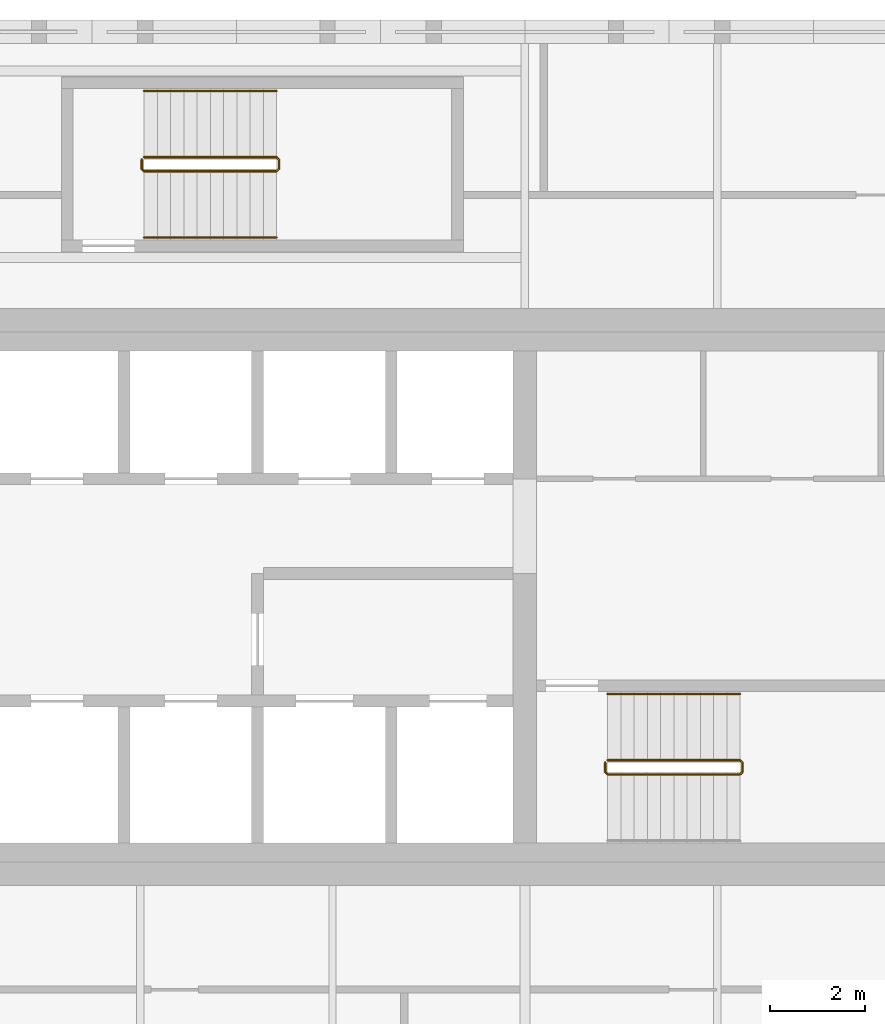
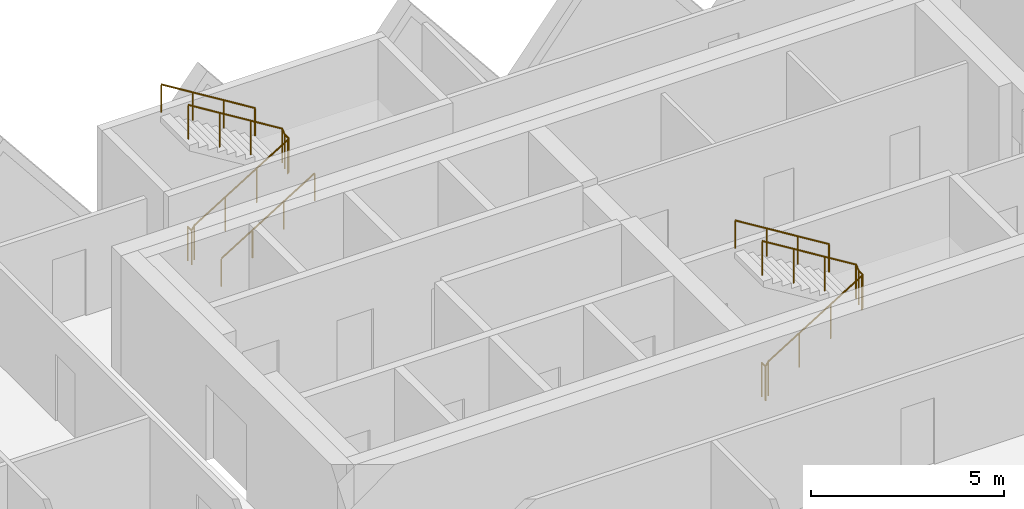
# One storey, part 18 of 19: 5 railings.
"""IFC4 building model written with IfcOpenShell, lengths in metres."""

import ifcopenshell
import ifcopenshell.guid

model = None  # the IFC model being written
_history = None  # IfcOwnerHistory: only IFC2X3 demands one
_inside = {}  # id of a spatial element -> (the spatial element, [elements in it])
_under = {}  # id of a project, library or spatial element -> (it, [spatial elements below it])
_declared = {}  # id of a project -> (the project, [libraries it declares])
_typed = {}  # id of a type object -> (the type object, [elements of that type])
_made_of = {}  # id of a material, layer set ... -> (it, [elements and type objects made of it])


def new_model(schema):
    """Start an empty IFC model of exactly this schema.

    Asked for "IFC4X3", IfcOpenShell would pick the latest addendum, in which some entities
    have other attributes; the version numbers below select the first issue.
    IFC2X3 requires an IfcOwnerHistory on every rooted entity: one is made here for all.
    """
    global model, _history
    if schema == "IFC4X3":
        model = ifcopenshell.file(schema_version=(4, 3, 0, 0))
    else:
        model = ifcopenshell.file(schema=schema)
    _inside.clear()
    _under.clear()
    _declared.clear()
    _typed.clear()
    _made_of.clear()
    _history = None
    if model.schema == "IFC2X3":
        org = make("IfcOrganization", Name="unknown")
        user = make(
            "IfcPersonAndOrganization",
            ThePerson=make("IfcPerson", FamilyName="unknown"),
            TheOrganization=org,
        )
        app = make(
            "IfcApplication",
            ApplicationDeveloper=org,
            Version="unknown",
            ApplicationFullName="unknown",
            ApplicationIdentifier="unknown",
        )
        _history = make(
            "IfcOwnerHistory",
            OwningUser=user,
            OwningApplication=app,
            ChangeAction="ADDED",
            CreationDate=0,
        )
    return model


def make(cls, **values):
    """One entity of the class cls with the attributes given. An attribute that is None is left unset."""
    return model.create_entity(
        cls, **{name: value for name, value in values.items() if value is not None}
    )


def rooted(cls, **values):
    """An entity with a GlobalId (a new one), such as an element, a storey or a relation."""
    return make(cls, GlobalId=ifcopenshell.guid.new(), OwnerHistory=_history, **values)


def si_unit(unit_type, name, prefix=None):
    """IfcSIUnit, for example si_unit("LENGTHUNIT", "METRE", prefix="MILLI")."""
    return make("IfcSIUnit", UnitType=unit_type, Prefix=prefix, Name=name)


def assignment(units):
    """IfcUnitAssignment: the units of a project."""
    return None if units is None else make("IfcUnitAssignment", Units=units)


def point(xyz):
    """IfcCartesianPoint."""
    return None if xyz is None else make("IfcCartesianPoint", Coordinates=xyz)


def direction(xyz):
    """IfcDirection."""
    return None if xyz is None else make("IfcDirection", DirectionRatios=xyz)


def frame(location, z_axis=None, x_axis=None):
    """IfcAxis2Placement3D, a coordinate frame: its origin and axes. An axis left out is left unset."""
    return make(
        "IfcAxis2Placement3D",
        Location=point(location),
        Axis=direction(z_axis),
        RefDirection=direction(x_axis),
    )


def frame_2d(location, x_axis=None):
    """IfcAxis2Placement2D, a coordinate frame in the plane: its origin and x axis."""
    return make(
        "IfcAxis2Placement2D", Location=point(location), RefDirection=direction(x_axis)
    )


def origin():
    """The frame at (0, 0, 0) with its axes left unset."""
    return frame((0.0, 0.0, 0.0))


def origin_2d():
    """The frame at (0, 0) in the plane with its x axis left unset."""
    return frame_2d((0.0, 0.0))


def place(relative_to, where):
    """IfcLocalPlacement: puts the frame where relative to a parent placement (None: the world)."""
    return make(
        "IfcLocalPlacement", PlacementRelTo=relative_to, RelativePlacement=where
    )


def context(
    kind, dimensions, precision=None, world=None, true_north=None, identifier=None
):
    """IfcGeometricRepresentationContext, for example the 3D "Model" context."""
    return make(
        "IfcGeometricRepresentationContext",
        ContextIdentifier=identifier,
        ContextType=kind,
        CoordinateSpaceDimension=dimensions,
        Precision=precision,
        WorldCoordinateSystem=world,
        TrueNorth=true_north,
    )


def subcontext(parent, identifier, kind, view, scale=None):
    """IfcGeometricRepresentationSubContext, for example "Body" below "Model"."""
    return make(
        "IfcGeometricRepresentationSubContext",
        ContextIdentifier=identifier,
        ContextType=kind,
        ParentContext=parent,
        TargetScale=scale,
        TargetView=view,
    )


def project(units=None, contexts=None):
    """IfcProject with its units and contexts."""
    return rooted(
        "IfcProject",
        Name="project",
        RepresentationContexts=contexts,
        UnitsInContext=assignment(units),
    )


def spatial(cls, under=None, at=None, **own):
    """A site, building, storey or space (cls), placed at a placement, below another one or the project."""
    s = rooted(cls, ObjectPlacement=at, **own)
    if under is not None:
        _under.setdefault(under.id(), (under, []))[1].append(s)
    return s


def profile(cls, at=None, kind="AREA", **sizes):
    """A parametric profile (cls). Its sizes go by their IFC names, for example OverallWidth=200.0."""
    return make(cls, ProfileType=kind, Position=at, **sizes)


def circle(**sizes):
    """IfcCircleProfileDef."""
    return profile("IfcCircleProfileDef", **sizes)


def extrude(swept, where, along, depth):
    """IfcExtrudedAreaSolid: the profile swept, set in the frame where, extruded along a direction by depth."""
    return make(
        "IfcExtrudedAreaSolid",
        SweptArea=swept,
        Position=where,
        ExtrudedDirection=direction(along),
        Depth=depth,
    )


def shape(context_of_items, identifier, shape_type, items):
    """IfcShapeRepresentation: the items that make up one representation, for example the "Body"."""
    return make(
        "IfcShapeRepresentation",
        ContextOfItems=context_of_items,
        RepresentationIdentifier=identifier,
        RepresentationType=shape_type,
        Items=items,
    )


def material(Name=None, Category=None):
    """IfcMaterial."""
    return make("IfcMaterial", Name=Name, Category=Category)


def made_of(thing, what):
    """Note that an element or type object is made of a material, layer set ...; save() writes the relation."""
    if what is not None:
        _made_of.setdefault(what.id(), (what, []))[1].append(thing)
    return thing


def type_object(cls, material=None, **own):
    """A type object (cls), such as IfcWallType, which elements share."""
    return made_of(rooted(cls, **own), material)


def element(
    cls,
    number,
    at=None,
    inside=None,
    cuts=None,
    type_object=None,
    material=None,
    context=None,
    identifier="Body",
    shape_type=None,
    held_by="IfcProductDefinitionShape",
    body=None,
    shapes=None,
    **own,
):
    """One element of the class cls, such as IfcWall. Its Tag is "e" and its number.

    at: its placement. inside: the storey or other place that contains it. cuts: it is an
    opening in that element (IfcRelVoidsElement). A single representation is given by context,
    identifier, shape_type and body (its items); several are given by shapes. held_by: the class
    of the entity that holds the representations. save() writes the other relations.
    """
    e = rooted(cls, Tag="e%d" % number, ObjectPlacement=at, **own)
    if body is not None:
        shapes = [shape(context, identifier, shape_type, body)]
    if shapes is not None:
        e.Representation = make(held_by, Representations=shapes)
    if inside is not None:
        _inside.setdefault(inside.id(), (inside, []))[1].append(e)
    if cuts is not None:
        rooted(
            "IfcRelVoidsElement", RelatingBuildingElement=cuts, RelatedOpeningElement=e
        )
    if type_object is not None:
        _typed.setdefault(type_object.id(), (type_object, []))[1].append(e)
    return made_of(e, material)


def aggregate(whole, parts):
    """IfcRelAggregates: a whole, such as a stair, and the parts it consists of."""
    return rooted("IfcRelAggregates", RelatingObject=whole, RelatedObjects=parts)


def save(model, path):
    """Write the relations noted so far, then the file.

    IfcRelAggregates (storeys below a building ...), IfcRelContainedInSpatialStructure (elements
    in a storey), IfcRelDefinesByType, IfcRelAssociatesMaterial and IfcRelDeclares: one each for
    every whole, place, type object, material and project.
    """
    for whole, parts in _under.values():
        aggregate(whole, parts)
    for where, things in _inside.values():
        rooted(
            "IfcRelContainedInSpatialStructure",
            RelatedElements=things,
            RelatingStructure=where,
        )
    for kind, things in _typed.values():
        rooted("IfcRelDefinesByType", RelatedObjects=things, RelatingType=kind)
    for what, things in _made_of.values():
        rooted("IfcRelAssociatesMaterial", RelatedObjects=things, RelatingMaterial=what)
    for by, libraries in _declared.values():
        rooted("IfcRelDeclares", RelatingContext=by, RelatedDefinitions=libraries)
    model.write(path)


model = new_model("IFC4")

# Units and contexts
model_context = context("Model", 3, precision=1e-05, world=origin(), true_north=direction((0.0, 1.0)))
body_context = subcontext(model_context, "Body", "Model", "MODEL_VIEW")
ifc_project = project(units=[si_unit("LENGTHUNIT", "METRE"), si_unit("AREAUNIT", "SQUARE_METRE"), si_unit("VOLUMEUNIT", "CUBIC_METRE"), si_unit("PLANEANGLEUNIT", "RADIAN"), si_unit("MASSUNIT", "GRAM", prefix="KILO")], contexts=[model_context])

# Site, building, storey
site_placement = place(None, origin())
site = spatial("IfcSite", under=ifc_project, at=site_placement, CompositionType="ELEMENT")
building_placement = place(site_placement, origin())
building = spatial("IfcBuilding", under=site, at=building_placement, Name="Tessera Gate Towers", CompositionType="ELEMENT")
storey_placement = place(building_placement, frame((0.0, 0.0, 83.800048828125)))
storey = spatial("IfcBuildingStorey", under=building, at=storey_placement, Name="L20", CompositionType="ELEMENT", Elevation=83.800048828125)

# Railings
ifc_material_1 = material(Name="Steel 350W", Category="steel")
railing_type_1 = type_object("IfcRailingType", Name="STAIR GUARD 1100", PredefinedType="GUARDRAIL", material=ifc_material_1)
railing_1_placement = place(storey_placement, frame((111.5, 39.199951171875, 0.0)))
element("IfcRailing", 1, at=railing_1_placement, inside=storey, type_object=railing_type_1, Name="L20 ST6 stair guard 1", PredefinedType="GUARDRAIL", context=body_context, shape_type="SweptSolid", body=[
    extrude(circle(Radius=0.02392578125, at=origin_2d()), frame((0.0, 0.0, 1.076171875), z_axis=(0.0, -1.0, 0.0), x_axis=(1.0, 0.0, 0.0)), (0.0, 0.0, 1.0), 0.199951171875),
    extrude(circle(Radius=0.02392578125, at=origin_2d()), frame((0.0, -0.199951171875, 1.076171875), z_axis=(0.268277960024, -0.268277960024, 0.925231793839), x_axis=(0.707106781187, 0.707106781187, 0.0)), (0.0, 0.0, 1.0), 0.1865234375),
    extrude(circle(Radius=0.02392578125, at=origin_2d()), frame((0.050048828125, -0.25, 1.24853515625), z_axis=(0.851089632645, 0.0, 0.525020415988), x_axis=(0.0, 1.0, 0.0)), (0.0, 0.0, 1.0), 3.2900390625),
    extrude(circle(Radius=0.02392578125, at=origin_2d()), frame((2.85009765625, -0.25, 2.97607421875), z_axis=(0.705375805398, 0.708833529934, 0.0), x_axis=(-0.708833529934, 0.705375805398, 0.0)), (0.0, 0.0, 1.0), 0.070556640625),
    extrude(circle(Radius=0.02392578125, at=origin_2d()), frame((2.89990234375, -0.199951171875, 2.97607421875), z_axis=(0.0, 1.0, 0.0), x_axis=(-1.0, 0.0, 0.0)), (0.0, 0.0, 1.0), 0.199951171875),
    extrude(circle(Radius=0.02392578125, at=origin_2d()), frame((2.89990234375, 0.0, 2.97607421875), z_axis=(-0.266739603011, 0.268047150085, 0.925743328097), x_axis=(-0.708833529934, -0.705375805398, 0.0)), (0.0, 0.0, 1.0), 0.186767578125),
    extrude(circle(Radius=0.02392578125, at=origin_2d()), frame((2.85009765625, 0.050048828125, 3.14892578125), z_axis=(-0.851089632645, 0.0, 0.525020415988), x_axis=(0.0, -1.0, 0.0)), (0.0, 0.0, 1.0), 3.2900390625),
    extrude(circle(Radius=0.02099609375, at=origin_2d()), origin(), (0.0, 0.0, 1.0), 1.052001953125),
    extrude(circle(Radius=0.02099609375, at=origin_2d()), frame((0.0, -0.199951171875, 0.0)), (0.0, 0.0, 1.0), 1.052001953125),
    extrude(circle(Radius=0.02099609375, at=origin_2d()), frame((0.050048828125, -0.25, 0.172607421875)), (0.0, 0.0, 1.0), 1.052001953125),
    extrude(circle(Radius=0.02099609375, at=origin_2d()), frame((0.9833984375, -0.25, 0.748291015625)), (0.0, 0.0, 1.0), 1.052001953125),
    extrude(circle(Radius=0.02099609375, at=origin_2d()), frame((1.916748046875, -0.25, 1.32421875)), (0.0, 0.0, 1.0), 1.052001953125),
    extrude(circle(Radius=0.02099609375, at=origin_2d()), frame((2.85009765625, -0.25, 1.89990234375)), (0.0, 0.0, 1.0), 1.052001953125),
    extrude(circle(Radius=0.02099609375, at=origin_2d()), frame((2.89990234375, -0.199951171875, 1.89990234375)), (0.0, 0.0, 1.0), 1.052001953125),
    extrude(circle(Radius=0.02099609375, at=origin_2d()), frame((2.89990234375, 0.0, 1.89990234375)), (0.0, 0.0, 1.0), 1.052001953125),
    extrude(circle(Radius=0.02099609375, at=origin_2d()), frame((2.85009765625, 0.050048828125, 2.07275390625)), (0.0, 0.0, 1.0), 1.052001953125),
    extrude(circle(Radius=0.02099609375, at=origin_2d()), frame((1.916748046875, 0.050048828125, 2.6484375)), (0.0, 0.0, 1.0), 1.052001953125),
    extrude(circle(Radius=0.02099609375, at=origin_2d()), frame((0.9833984375, 0.050048828125, 3.224365234375)), (0.0, 0.0, 1.0), 1.052001953125),
    extrude(circle(Radius=0.02099609375, at=origin_2d()), frame((0.050048828125, 0.050048828125, 3.800048828125)), (0.0, 0.0, 1.0), 1.052001953125),
])
railing_2_placement = place(storey_placement, frame((101.699951171875, 51.949951171875, 0.0)))
element("IfcRailing", 2, at=railing_2_placement, inside=storey, type_object=railing_type_1, Name="L20 ST7 stair guard 1", PredefinedType="GUARDRAIL", context=body_context, shape_type="SweptSolid", body=[
    extrude(circle(Radius=0.02392578125, at=origin_2d()), frame((0.0, 0.0, 1.076171875), z_axis=(0.0, -1.0, 0.0), x_axis=(1.0, 0.0, 0.0)), (0.0, 0.0, 1.0), 0.199951171875),
    extrude(circle(Radius=0.02392578125, at=origin_2d()), frame((0.0, -0.199951171875, 1.076171875), z_axis=(0.268277960024, -0.268277960024, 0.925231793839), x_axis=(0.707106781187, 0.707106781187, 0.0)), (0.0, 0.0, 1.0), 0.1865234375),
    extrude(circle(Radius=0.02392578125, at=origin_2d()), frame((0.050048828125, -0.25, 1.24853515625), z_axis=(0.851089632645, 0.0, 0.525020415988), x_axis=(0.0, 1.0, 0.0)), (0.0, 0.0, 1.0), 3.2900390625),
    extrude(circle(Radius=0.02392578125, at=origin_2d()), frame((2.85009765625, -0.25, 2.97607421875), z_axis=(0.707106781187, 0.707106781187, 0.0), x_axis=(-0.707106781187, 0.707106781187, 0.0)), (0.0, 0.0, 1.0), 0.07080078125),
    extrude(circle(Radius=0.02392578125, at=origin_2d()), frame((2.900146484375, -0.199951171875, 2.97607421875), z_axis=(0.0, 1.0, 0.0), x_axis=(-1.0, 0.0, 0.0)), (0.0, 0.0, 1.0), 0.199951171875),
    extrude(circle(Radius=0.02392578125, at=origin_2d()), frame((2.900146484375, 0.0, 2.97607421875), z_axis=(-0.267953482034, 0.267953482034, 0.925419830635), x_axis=(-0.707106781187, -0.707106781187, 0.0)), (0.0, 0.0, 1.0), 0.186767578125),
    extrude(circle(Radius=0.02392578125, at=origin_2d()), frame((2.85009765625, 0.050048828125, 3.14892578125), z_axis=(-0.851089632645, 0.0, 0.525020415988), x_axis=(0.0, -1.0, 0.0)), (0.0, 0.0, 1.0), 3.2900390625),
    extrude(circle(Radius=0.02099609375, at=origin_2d()), origin(), (0.0, 0.0, 1.0), 1.052001953125),
    extrude(circle(Radius=0.02099609375, at=origin_2d()), frame((0.0, -0.199951171875, 0.0)), (0.0, 0.0, 1.0), 1.052001953125),
    extrude(circle(Radius=0.02099609375, at=origin_2d()), frame((0.050048828125, -0.25, 0.172607421875)), (0.0, 0.0, 1.0), 1.052001953125),
    extrude(circle(Radius=0.02099609375, at=origin_2d()), frame((0.9833984375, -0.25, 0.748291015625)), (0.0, 0.0, 1.0), 1.052001953125),
    extrude(circle(Radius=0.02099609375, at=origin_2d()), frame((1.916748046875, -0.25, 1.32421875)), (0.0, 0.0, 1.0), 1.052001953125),
    extrude(circle(Radius=0.02099609375, at=origin_2d()), frame((2.85009765625, -0.25, 1.89990234375)), (0.0, 0.0, 1.0), 1.052001953125),
    extrude(circle(Radius=0.02099609375, at=origin_2d()), frame((2.900146484375, -0.199951171875, 1.89990234375)), (0.0, 0.0, 1.0), 1.052001953125),
    extrude(circle(Radius=0.02099609375, at=origin_2d()), frame((2.900146484375, 0.0, 1.89990234375)), (0.0, 0.0, 1.0), 1.052001953125),
    extrude(circle(Radius=0.02099609375, at=origin_2d()), frame((2.85009765625, 0.050048828125, 2.07275390625)), (0.0, 0.0, 1.0), 1.052001953125),
    extrude(circle(Radius=0.02099609375, at=origin_2d()), frame((1.916748046875, 0.050048828125, 2.6484375)), (0.0, 0.0, 1.0), 1.052001953125),
    extrude(circle(Radius=0.02099609375, at=origin_2d()), frame((0.9833984375, 0.050048828125, 3.224365234375)), (0.0, 0.0, 1.0), 1.052001953125),
    extrude(circle(Radius=0.02099609375, at=origin_2d()), frame((0.050048828125, 0.050048828125, 3.800048828125)), (0.0, 0.0, 1.0), 1.052001953125),
])
ifc_material_2 = material(Name="Steel 350W", Category="steel")
railing_type_2 = type_object("IfcRailingType", Name="STAIR HANDRAIL 900", PredefinedType="HANDRAIL", material=ifc_material_2)
railing_3_placement = place(storey_placement, frame((114.35009765625, 40.64990234375, 2.07275390625)))
element("IfcRailing", 3, at=railing_3_placement, inside=storey, type_object=railing_type_2, Name="L20 ST6 stair handrail 2", PredefinedType="HANDRAIL", context=body_context, shape_type="SweptSolid", body=[
    extrude(circle(Radius=0.02392578125, at=origin_2d()), frame((0.0, 0.0, 0.8759765625), z_axis=(-0.851089632645, 0.0, 0.525020415988), x_axis=(0.0, -1.0, 0.0)), (0.0, 0.0, 1.0), 3.2900390625),
    extrude(circle(Radius=0.02099609375, at=origin_2d()), origin(), (0.0, 0.0, 1.0), 0.851806640625),
    extrude(circle(Radius=0.02099609375, at=origin_2d()), frame((-0.933349609375, 0.0, 0.57568359375)), (0.0, 0.0, 1.0), 0.851806640625),
    extrude(circle(Radius=0.02099609375, at=origin_2d()), frame((-1.86669921875, 0.0, 1.151611328125)), (0.0, 0.0, 1.0), 0.851806640625),
    extrude(circle(Radius=0.02099609375, at=origin_2d()), frame((-2.800048828125, 0.0, 1.727294921875)), (0.0, 0.0, 1.0), 0.851806640625),
])
railing_4_placement = place(storey_placement, frame((101.75, 50.300048828125, 0.172607421875)))
element("IfcRailing", 4, at=railing_4_placement, inside=storey, type_object=railing_type_2, Name="L20 ST7 stair handrail 1", PredefinedType="HANDRAIL", context=body_context, shape_type="SweptSolid", body=[
    extrude(circle(Radius=0.02392578125, at=origin_2d()), frame((0.0, 0.0, 0.8759765625), z_axis=(0.851089632645, 0.0, 0.525020415988), x_axis=(0.0, 1.0, 0.0)), (0.0, 0.0, 1.0), 3.2900390625),
    extrude(circle(Radius=0.02099609375, at=origin_2d()), origin(), (0.0, 0.0, 1.0), 0.851806640625),
    extrude(circle(Radius=0.02099609375, at=origin_2d()), frame((0.933349609375, 0.0, 0.57568359375)), (0.0, 0.0, 1.0), 0.851806640625),
    extrude(circle(Radius=0.02099609375, at=origin_2d()), frame((1.86669921875, 0.0, 1.151611328125)), (0.0, 0.0, 1.0), 0.851806640625),
    extrude(circle(Radius=0.02099609375, at=origin_2d()), frame((2.800048828125, 0.0, 1.727294921875)), (0.0, 0.0, 1.0), 0.851806640625),
])
railing_5_placement = place(storey_placement, frame((104.550048828125, 53.39990234375, 2.07275390625)))
element("IfcRailing", 5, at=railing_5_placement, inside=storey, type_object=railing_type_2, Name="L20 ST7 stair handrail 2", PredefinedType="HANDRAIL", context=body_context, shape_type="SweptSolid", body=[
    extrude(circle(Radius=0.02392578125, at=origin_2d()), frame((0.0, 0.0, 0.8759765625), z_axis=(-0.851089632645, 0.0, 0.525020415988), x_axis=(0.0, -1.0, 0.0)), (0.0, 0.0, 1.0), 3.2900390625),
    extrude(circle(Radius=0.02099609375, at=origin_2d()), origin(), (0.0, 0.0, 1.0), 0.851806640625),
    extrude(circle(Radius=0.02099609375, at=origin_2d()), frame((-0.933349609375, 0.0, 0.57568359375)), (0.0, 0.0, 1.0), 0.851806640625),
    extrude(circle(Radius=0.02099609375, at=origin_2d()), frame((-1.86669921875, 0.0, 1.151611328125)), (0.0, 0.0, 1.0), 0.851806640625),
    extrude(circle(Radius=0.02099609375, at=origin_2d()), frame((-2.800048828125, 0.0, 1.727294921875)), (0.0, 0.0, 1.0), 0.851806640625),
])

save(model, "model.ifc")
